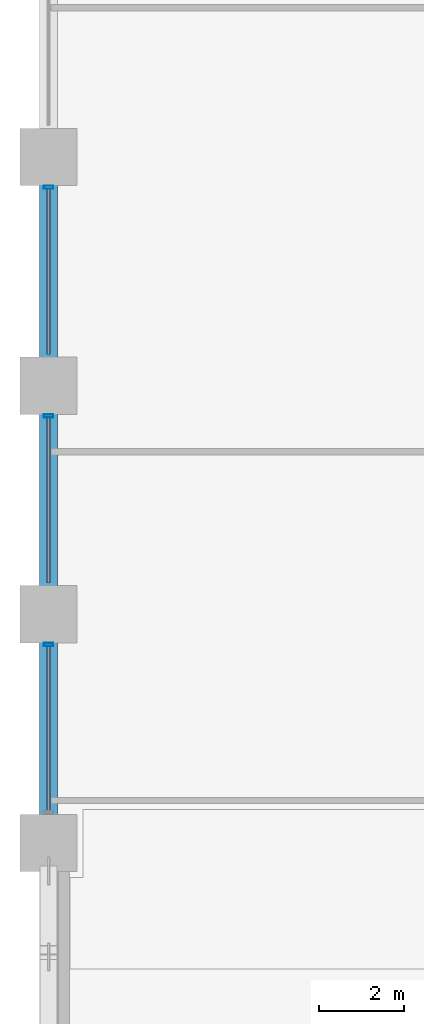
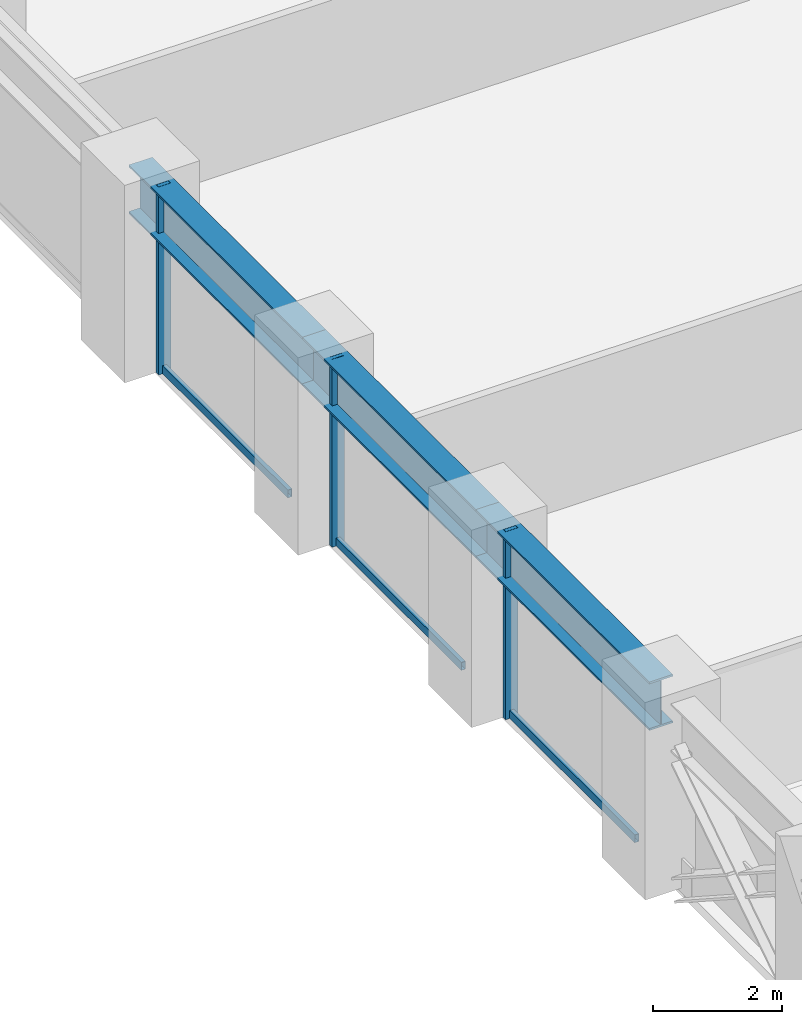
# One storey, part 6 of 25: 6 members, 3 beams, 1 element without a shape of its own.
"""IFC4 building model written with IfcOpenShell, lengths in metres."""

from ifc_helpers import new_model, si_unit, direction, frame, origin, origin_2d, place, context, subcontext, project, spatial, hollow_rectangle, i_section, extrude, material, layer, layer_set, material_profile, profile_set, type_object, element, aggregate, save


model = new_model("IFC4")

# Units and contexts
model_context = context("Model", 3, precision=1e-05, world=origin(), true_north=direction((0.0, 1.0)))
body_context = subcontext(model_context, "Body", "Model", "MODEL_VIEW")
ifc_project = project(units=[si_unit("LENGTHUNIT", "METRE"), si_unit("AREAUNIT", "SQUARE_METRE"), si_unit("VOLUMEUNIT", "CUBIC_METRE"), si_unit("PLANEANGLEUNIT", "RADIAN"), si_unit("MASSUNIT", "GRAM", prefix="KILO")], contexts=[model_context])

# Site, building, storey
site_placement = place(None, origin())
site = spatial("IfcSite", under=ifc_project, at=site_placement, CompositionType="ELEMENT")
building_placement = place(site_placement, origin())
building = spatial("IfcBuilding", under=site, at=building_placement, Name="Surkhivell Harbour Commons", CompositionType="ELEMENT")
storey_placement = place(building_placement, frame((0.0, 0.0, 48.75)))
storey = spatial("IfcBuildingStorey", under=building, at=storey_placement, Name="L12", CompositionType="ELEMENT", Elevation=48.75)

# Beams
ifc_material_1 = material(Name="Steel S460", Category="steel")
ifc_material_profile_1 = material_profile(ifc_material_1, i_section(OverallWidth=0.419921875, OverallDepth=0.9208984375, WebThickness=0.021484375, FlangeThickness=0.03662109375, at=origin_2d()), Name="UB914x419x388")
ifc_profile_set_1 = profile_set([ifc_material_profile_1], Name="Steel S460")
beam_type = type_object("IfcBeamType", Name="BM-SPN-914A", PredefinedType="SPANDREL", material=ifc_profile_set_1)
beam_placement = place(storey_placement, frame((-32.39990234375, -10.800048828125, 3.109619140625), z_axis=(0.0, 1.0, 0.0), x_axis=(-1.0, 0.0, 0.0)))
element("IfcBeam", 1, at=beam_placement, inside=storey, type_object=beam_type, Name="L12 Tube Spandrel (-32.4,-10.8)", PredefinedType="SPANDREL", context=body_context, shape_type="SweptSolid", body=[
    extrude(i_section(OverallWidth=0.419921875, OverallDepth=0.9208984375, WebThickness=0.021484375, FlangeThickness=0.03662109375, at=origin_2d()), origin(), (0.0, 0.0, 1.0), 5.400146484375),
])
for number, where, z_axis, x_axis, name in (
    (2, (-32.39990234375, -5.39990234375, 3.109619140625), (0.0, 1.0, 0.0), (-1.0, 0.0, 0.0), "L12 Tube Spandrel (-32.4,-5.4)"),
    (3, (-32.39990234375, 0.0, 3.109619140625), (0.0, 1.0, 0.0), (-1.0, 0.0, 0.0), "L12 Tube Spandrel (-32.4,0.0)"),
):
    element("IfcBeam", number, at=place(storey_placement, frame(where, z_axis=z_axis, x_axis=x_axis)), inside=storey, type_object=beam_type, Name=name, PredefinedType="SPANDREL", context=body_context, shape_type="SweptSolid", body=[
        extrude(i_section(OverallWidth=0.419921875, OverallDepth=0.9208984375, WebThickness=0.021484375, FlangeThickness=0.03662109375, at=origin_2d()), origin(), (0.0, 0.0, 1.0), 5.39990234375),
    ])

# Curtain wall, members
ifc_material_2 = material(Name="Anodised pale-metal aluminium and insulated glazing", Category="aluminium")
ifc_layer = layer(ifc_material_2, 0.219970703125)
ifc_layer_set = layer_set([ifc_layer], Name="Anodised pale-metal aluminium and insulated glazing")
curtain_wall_type = type_object("IfcCurtainWallType", Name="CW-SYS-Z1", PredefinedType="NOTDEFINED", material=ifc_layer_set)
curtain_wall_placement = place(storey_placement, origin())
curtain_wall = element("IfcCurtainWall", 4, at=curtain_wall_placement, inside=storey, type_object=curtain_wall_type, Name="L12 Curtain Wall CW-L12-E12S1", PredefinedType="NOTDEFINED")
ifc_material_3 = material(Name="Anodised pale-metal aluminium alloy 6063-T6", Category="aluminium")
ifc_material_profile_2 = material_profile(ifc_material_3, hollow_rectangle(XDim=0.074951171875, YDim=0.219970703125, WallThickness=0.00390625, at=origin_2d()), Name="ALU-MULL-75x220")
ifc_profile_set_2 = profile_set([ifc_material_profile_2], Name="Anodised pale-metal aluminium alloy 6063-T6")
member_type_1 = type_object("IfcMemberType", Name="CWM-220", PredefinedType="MULLION", material=ifc_profile_set_2)
member_1_placement = place(storey_placement, frame((-32.39990234375, 4.685546875, 0.0), z_axis=(0.0, 0.0, 1.0), x_axis=(0.0, -1.0, 0.0)))
member_1 = element("IfcMember", 5, at=member_1_placement, type_object=member_type_1, Name="CW-Z1 mullion 4", PredefinedType="MULLION", context=body_context, shape_type="SweptSolid", body=[
    extrude(hollow_rectangle(XDim=0.074951171875, YDim=0.219970703125, WallThickness=0.00390625, at=origin_2d()), origin(), (0.0, 0.0, 1.0), 3.570068359375),
])
member_2_placement = place(storey_placement, frame((-32.39990234375, -0.714599609375, 0.0), z_axis=(0.0, 0.0, 1.0), x_axis=(0.0, -1.0, 0.0)))
member_2 = element("IfcMember", 6, at=member_2_placement, type_object=member_type_1, Name="CW-Z1 mullion 5", PredefinedType="MULLION", context=body_context, shape_type="SweptSolid", body=[
    extrude(hollow_rectangle(XDim=0.074951171875, YDim=0.219970703125, WallThickness=0.00390625, at=origin_2d()), origin(), (0.0, 0.0, 1.0), 3.570068359375),
])
member_3_placement = place(storey_placement, frame((-32.39990234375, -6.114501953125, 0.0), z_axis=(0.0, 0.0, 1.0), x_axis=(0.0, -1.0, 0.0)))
member_3 = element("IfcMember", 7, at=member_3_placement, type_object=member_type_1, Name="CW-Z1 mullion 6", PredefinedType="MULLION", context=body_context, shape_type="SweptSolid", body=[
    extrude(hollow_rectangle(XDim=0.074951171875, YDim=0.219970703125, WallThickness=0.00390625, at=origin_2d()), origin(), (0.0, 0.0, 1.0), 3.570068359375),
])
ifc_material_profile_3 = material_profile(ifc_material_3, hollow_rectangle(XDim=0.074951171875, YDim=0.14990234375, WallThickness=0.00341796875, at=origin_2d()), Name="ALU-TRAN-75x150")
ifc_profile_set_3 = profile_set([ifc_material_profile_3], Name="Anodised pale-metal aluminium alloy 6063-T6")
member_type_2 = type_object("IfcMemberType", Name="CWT-150", PredefinedType="USERDEFINED", material=ifc_profile_set_3)
member_4_placement = place(storey_placement, frame((-32.39990234375, 4.64794921875, 0.074951171875), z_axis=(0.0, -1.0, 0.0), x_axis=(1.0, 0.0, 0.0)))
member_4 = element("IfcMember", 8, at=member_4_placement, type_object=member_type_2, Name="CW-Z1 transom 4.1", ObjectType="TRANSOM", PredefinedType="USERDEFINED", context=body_context, shape_type="SweptSolid", body=[
    extrude(hollow_rectangle(XDim=0.074951171875, YDim=0.14990234375, WallThickness=0.00341796875, at=origin_2d()), origin(), (0.0, 0.0, 1.0), 3.89599609375),
])
member_5_placement = place(storey_placement, frame((-32.39990234375, -0.751953125, 0.074951171875), z_axis=(0.0, -1.0, 0.0), x_axis=(1.0, 0.0, 0.0)))
member_5 = element("IfcMember", 9, at=member_5_placement, type_object=member_type_2, Name="CW-Z1 transom 5.1", ObjectType="TRANSOM", PredefinedType="USERDEFINED", context=body_context, shape_type="SweptSolid", body=[
    extrude(hollow_rectangle(XDim=0.074951171875, YDim=0.14990234375, WallThickness=0.00341796875, at=origin_2d()), origin(), (0.0, 0.0, 1.0), 3.89599609375),
])
member_6_placement = place(storey_placement, frame((-32.39990234375, -6.152099609375, 0.074951171875), z_axis=(0.0, -1.0, 0.0), x_axis=(1.0, 0.0, 0.0)))
member_6 = element("IfcMember", 10, at=member_6_placement, type_object=member_type_2, Name="CW-Z1 transom 6.1", ObjectType="TRANSOM", PredefinedType="USERDEFINED", context=body_context, shape_type="SweptSolid", body=[
    extrude(hollow_rectangle(XDim=0.074951171875, YDim=0.14990234375, WallThickness=0.00341796875, at=origin_2d()), origin(), (0.0, 0.0, 1.0), 3.89599609375),
])
aggregate(curtain_wall, [member_1, member_4, member_2, member_5, member_3, member_6])

save(model, "model.ifc")
